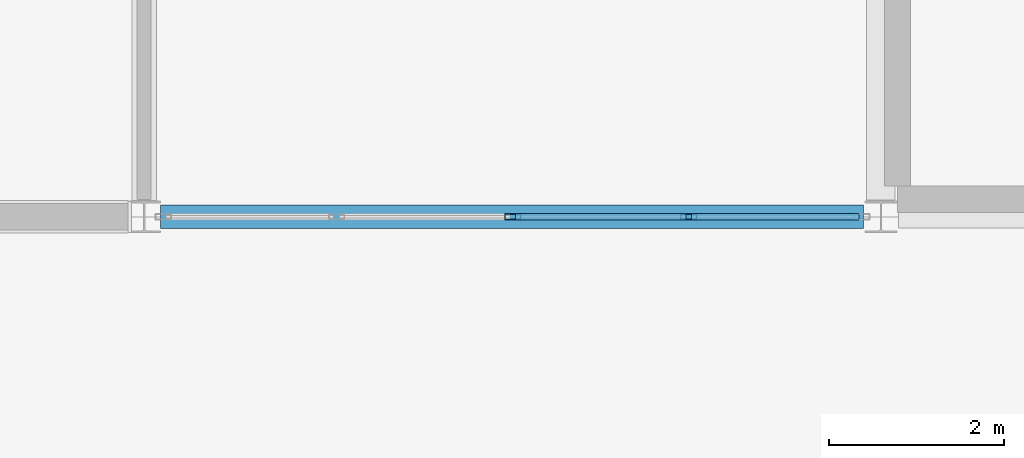
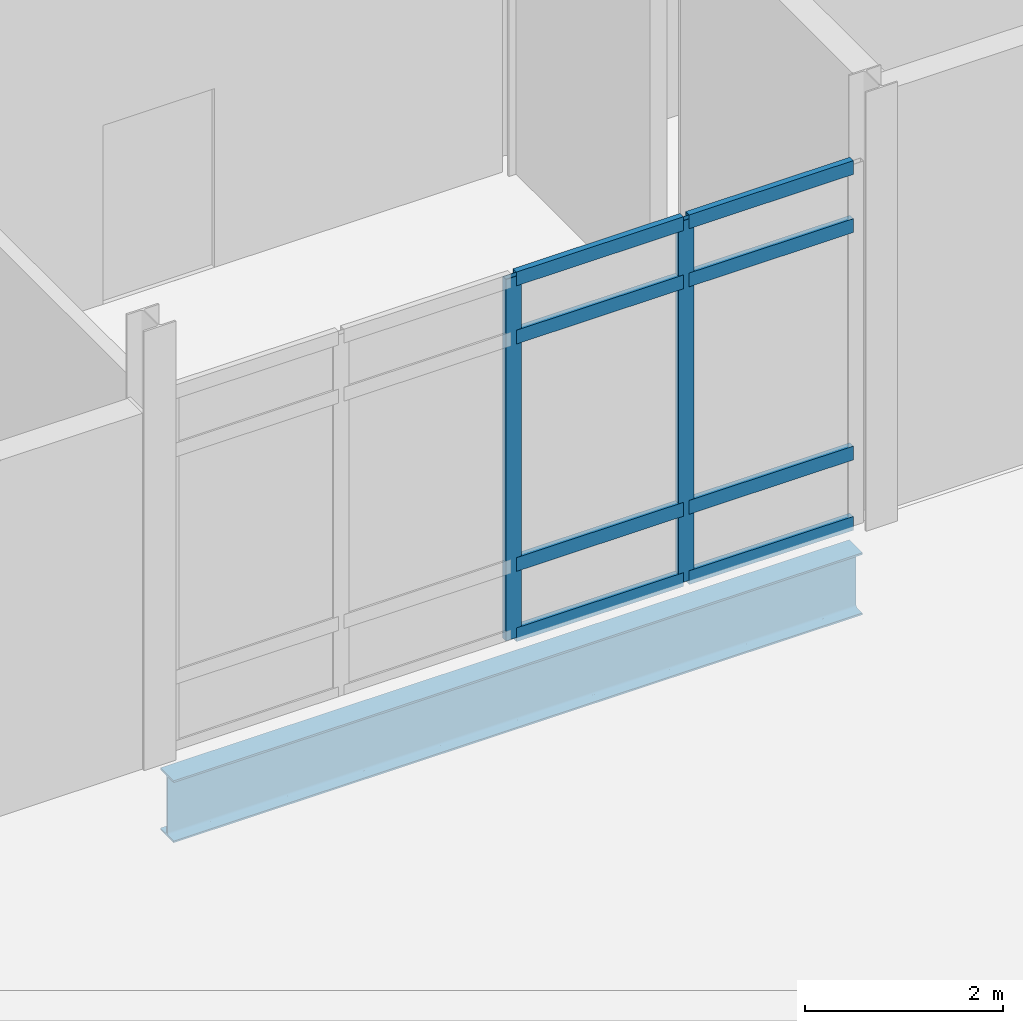
# One storey, part 91 of 229: 10 members, 1 beam, 1 element without a shape of its own.
"""IFC4 building model written with IfcOpenShell, lengths in metres."""

from ifc_helpers import new_model, si_unit, direction, frame, origin, origin_2d, place, context, subcontext, project, spatial, hollow_rectangle, i_section, extrude, material, layer, layer_set, material_profile, profile_set, type_object, element, aggregate, save


model = new_model("IFC4")

# Units and contexts
model_context = context("Model", 3, precision=1e-05, world=origin(), true_north=direction((0.0, 1.0)))
body_context = subcontext(model_context, "Body", "Model", "MODEL_VIEW")
ifc_project = project(units=[si_unit("LENGTHUNIT", "METRE"), si_unit("AREAUNIT", "SQUARE_METRE"), si_unit("VOLUMEUNIT", "CUBIC_METRE"), si_unit("PLANEANGLEUNIT", "RADIAN"), si_unit("MASSUNIT", "GRAM", prefix="KILO")], contexts=[model_context])

# Site, building, storey
site_placement = place(None, origin())
site = spatial("IfcSite", under=ifc_project, at=site_placement, CompositionType="ELEMENT")
building_placement = place(site_placement, origin())
building = spatial("IfcBuilding", under=site, at=building_placement, Name="Calvrana Isthmian Art Gallery", CompositionType="ELEMENT")
storey_placement = place(building_placement, origin())
storey = spatial("IfcBuildingStorey", under=building, at=storey_placement, Name="L00", CompositionType="ELEMENT", Elevation=0.0)

# Beam
ifc_material_1 = material(Name="Steel ASTM A992 Gr 50", Category="steel")
ifc_material_profile_1 = material_profile(ifc_material_1, i_section(OverallWidth=0.26708984375, OverallDepth=0.761962890625, WebThickness=0.014404296875, FlangeThickness=0.021484375, FilletRadius=0.02490234375, at=origin_2d()), Name="W30X116")
ifc_profile_set_1 = profile_set([ifc_material_profile_1], Name="Steel ASTM A992 Gr 50")
beam_type = type_object("IfcBeamType", Name="BM-G-W30X116", PredefinedType="BEAM", material=ifc_profile_set_1)
beam_placement = place(storey_placement, frame((38.58642578125, 98.39990234375, -0.666015625), z_axis=(1.0, 0.0, 0.0), x_axis=(0.0, 1.0, 0.0)))
element("IfcBeam", 1, at=beam_placement, inside=storey, type_object=beam_type, Name="Girder X L00 06-07/N", PredefinedType="BEAM", context=body_context, shape_type="SweptSolid", body=[
    extrude(i_section(OverallWidth=0.26708984375, OverallDepth=0.761962890625, WebThickness=0.014404296875, FlangeThickness=0.021484375, FilletRadius=0.02490234375, at=origin_2d()), origin(), (0.0, 0.0, 1.0), 8.01416015625),
])

# Curtain wall, members
ifc_material_2 = material(Name="Anodized bronze aluminium 6063-T6", Category="aluminium")
ifc_layer = layer(ifc_material_2, 0.179931640625, Name="Anodized bronze aluminium 6063-T6")
ifc_layer_set = layer_set([ifc_layer], Name="Anodized bronze aluminium 6063-T6")
curtain_wall_type = type_object("IfcCurtainWallType", Name="CW-UNIT-080X44", PredefinedType="USERDEFINED", material=ifc_layer_set)
curtain_wall_placement = place(storey_placement, origin())
curtain_wall = element("IfcCurtainWall", 2, at=curtain_wall_placement, inside=storey, type_object=curtain_wall_type, Name="Curtain wall CW-038", ObjectType="UNITISED CURTAIN WALL", PredefinedType="USERDEFINED")
ifc_material_profile_2 = material_profile(ifc_material_2, hollow_rectangle(XDim=0.06494140625, YDim=0.179931640625, WallThickness=0.00439453125, at=origin_2d()), Name="CWM65X180")
ifc_profile_set_2 = profile_set([ifc_material_profile_2], Name="Anodized bronze aluminium 6063-T6")
member_type_1 = type_object("IfcMemberType", Name="CWM-CWM65X180", PredefinedType="MULLION", material=ifc_profile_set_2)
member_1_placement = place(storey_placement, frame((44.6083984375, 98.39990234375, 0.0), z_axis=(0.0, 0.0, 1.0), x_axis=(0.0, -1.0, 0.0)))
member_1 = element("IfcMember", 3, at=member_1_placement, type_object=member_type_1, Name="CW-038 mullion 2", PredefinedType="MULLION", context=body_context, shape_type="SweptSolid", body=[
    extrude(hollow_rectangle(XDim=0.06494140625, YDim=0.179931640625, WallThickness=0.00439453125, at=origin_2d()), origin(), (0.0, 0.0, 1.0), 4.447021484375),
])
member_2_placement = place(storey_placement, frame((42.600830078125, 98.39990234375, 0.0), z_axis=(0.0, 0.0, 1.0), x_axis=(0.0, -1.0, 0.0)))
member_2 = element("IfcMember", 4, at=member_2_placement, type_object=member_type_1, Name="CW-038 mullion 3", PredefinedType="MULLION", context=body_context, shape_type="SweptSolid", body=[
    extrude(hollow_rectangle(XDim=0.06494140625, YDim=0.179931640625, WallThickness=0.00439453125, at=origin_2d()), origin(), (0.0, 0.0, 1.0), 4.447021484375),
])
ifc_material_profile_3 = material_profile(ifc_material_2, hollow_rectangle(XDim=0.070068359375, YDim=0.169921875, WallThickness=0.00439453125, at=origin_2d()), Name="CWT70X170")
ifc_profile_set_3 = profile_set([ifc_material_profile_3], Name="Anodized bronze aluminium 6063-T6")
member_type_2 = type_object("IfcMemberType", Name="CWT-CWT70X170", PredefinedType="USERDEFINED", material=ifc_profile_set_3)
member_3_placement = place(storey_placement, frame((46.551025390625, 98.39990234375, 0.034912109375), z_axis=(-1.0, 0.0, 0.0), x_axis=(0.0, -1.0, 0.0)))
member_3 = element("IfcMember", 5, at=member_3_placement, type_object=member_type_2, Name="CW-038 transom 1.1", ObjectType="TRANSOM", PredefinedType="USERDEFINED", context=body_context, shape_type="SweptSolid", body=[
    extrude(hollow_rectangle(XDim=0.070068359375, YDim=0.169921875, WallThickness=0.00439453125, at=origin_2d()), origin(), (0.0, 0.0, 1.0), 1.91015625),
])
member_4_placement = place(storey_placement, frame((46.551025390625, 98.39990234375, 0.89990234375), z_axis=(-1.0, 0.0, 0.0), x_axis=(0.0, -1.0, 0.0)))
member_4 = element("IfcMember", 6, at=member_4_placement, type_object=member_type_2, Name="CW-038 transom 1.2", ObjectType="TRANSOM", PredefinedType="USERDEFINED", context=body_context, shape_type="SweptSolid", body=[
    extrude(hollow_rectangle(XDim=0.070068359375, YDim=0.169921875, WallThickness=0.00439453125, at=origin_2d()), origin(), (0.0, 0.0, 1.0), 1.91015625),
])
member_5_placement = place(storey_placement, frame((46.551025390625, 98.39990234375, 3.697021484375), z_axis=(-1.0, 0.0, 0.0), x_axis=(0.0, -1.0, 0.0)))
member_5 = element("IfcMember", 7, at=member_5_placement, type_object=member_type_2, Name="CW-038 transom 1.3", ObjectType="TRANSOM", PredefinedType="USERDEFINED", context=body_context, shape_type="SweptSolid", body=[
    extrude(hollow_rectangle(XDim=0.070068359375, YDim=0.169921875, WallThickness=0.00439453125, at=origin_2d()), origin(), (0.0, 0.0, 1.0), 1.91015625),
])
member_6_placement = place(storey_placement, frame((46.551025390625, 98.39990234375, 4.412109375), z_axis=(-1.0, 0.0, 0.0), x_axis=(0.0, -1.0, 0.0)))
member_6 = element("IfcMember", 8, at=member_6_placement, type_object=member_type_2, Name="CW-038 transom 1.4", ObjectType="TRANSOM", PredefinedType="USERDEFINED", context=body_context, shape_type="SweptSolid", body=[
    extrude(hollow_rectangle(XDim=0.070068359375, YDim=0.169921875, WallThickness=0.00439453125, at=origin_2d()), origin(), (0.0, 0.0, 1.0), 1.91015625),
])
member_7_placement = place(storey_placement, frame((44.575927734375, 98.39990234375, 0.034912109375), z_axis=(-1.0, 0.0, 0.0), x_axis=(0.0, -1.0, 0.0)))
member_7 = element("IfcMember", 9, at=member_7_placement, type_object=member_type_2, Name="CW-038 transom 2.1", ObjectType="TRANSOM", PredefinedType="USERDEFINED", context=body_context, shape_type="SweptSolid", body=[
    extrude(hollow_rectangle(XDim=0.070068359375, YDim=0.169921875, WallThickness=0.00439453125, at=origin_2d()), origin(), (0.0, 0.0, 1.0), 1.942626953125),
])
member_8_placement = place(storey_placement, frame((44.575927734375, 98.39990234375, 0.89990234375), z_axis=(-1.0, 0.0, 0.0), x_axis=(0.0, -1.0, 0.0)))
member_8 = element("IfcMember", 10, at=member_8_placement, type_object=member_type_2, Name="CW-038 transom 2.2", ObjectType="TRANSOM", PredefinedType="USERDEFINED", context=body_context, shape_type="SweptSolid", body=[
    extrude(hollow_rectangle(XDim=0.070068359375, YDim=0.169921875, WallThickness=0.00439453125, at=origin_2d()), origin(), (0.0, 0.0, 1.0), 1.942626953125),
])
member_9_placement = place(storey_placement, frame((44.575927734375, 98.39990234375, 3.697021484375), z_axis=(-1.0, 0.0, 0.0), x_axis=(0.0, -1.0, 0.0)))
member_9 = element("IfcMember", 11, at=member_9_placement, type_object=member_type_2, Name="CW-038 transom 2.3", ObjectType="TRANSOM", PredefinedType="USERDEFINED", context=body_context, shape_type="SweptSolid", body=[
    extrude(hollow_rectangle(XDim=0.070068359375, YDim=0.169921875, WallThickness=0.00439453125, at=origin_2d()), origin(), (0.0, 0.0, 1.0), 1.942626953125),
])
member_10_placement = place(storey_placement, frame((44.575927734375, 98.39990234375, 4.412109375), z_axis=(-1.0, 0.0, 0.0), x_axis=(0.0, -1.0, 0.0)))
member_10 = element("IfcMember", 12, at=member_10_placement, type_object=member_type_2, Name="CW-038 transom 2.4", ObjectType="TRANSOM", PredefinedType="USERDEFINED", context=body_context, shape_type="SweptSolid", body=[
    extrude(hollow_rectangle(XDim=0.070068359375, YDim=0.169921875, WallThickness=0.00439453125, at=origin_2d()), origin(), (0.0, 0.0, 1.0), 1.942626953125),
])
aggregate(curtain_wall, [member_1, member_2, member_3, member_4, member_5, member_6, member_7, member_8, member_9, member_10])

save(model, "model.ifc")
